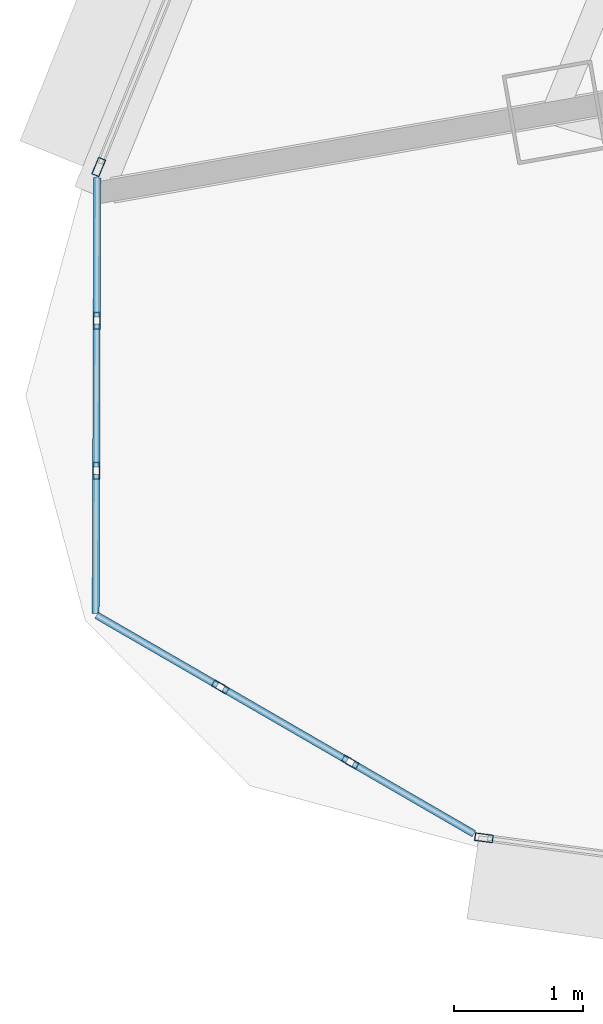
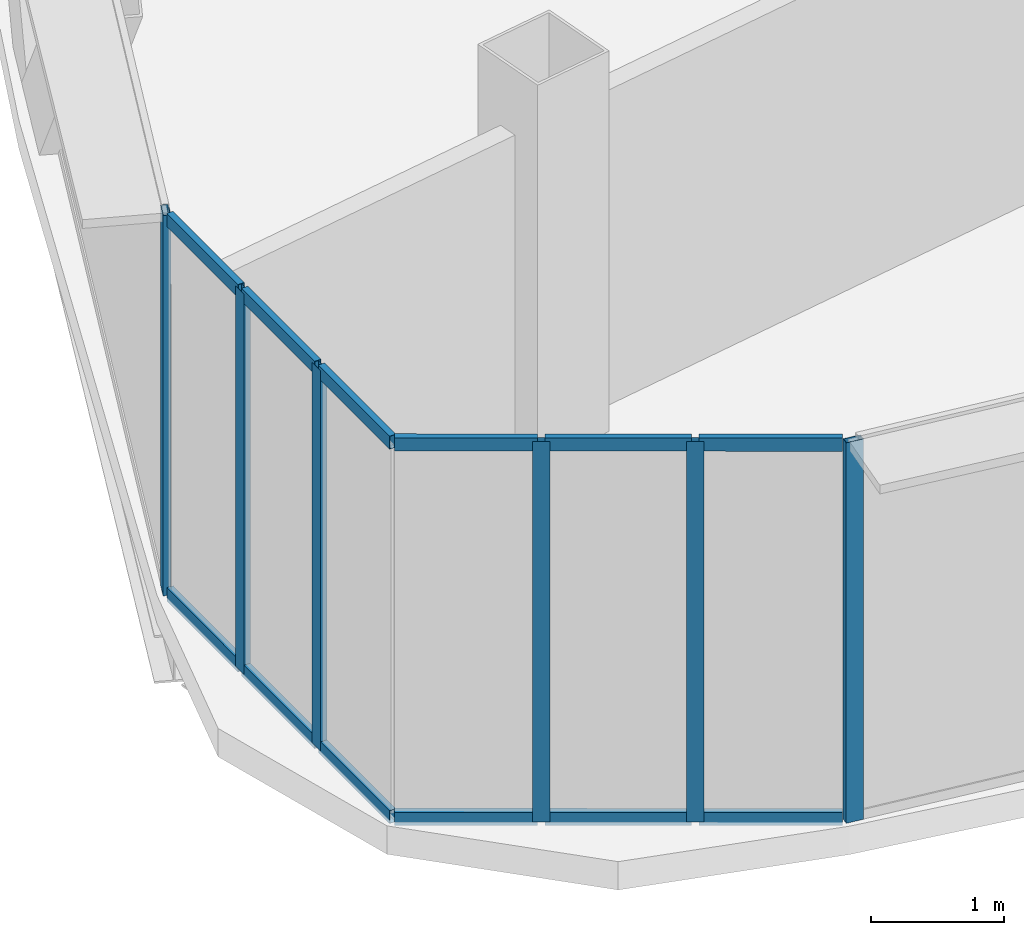
# One storey, part 2 of 27: 18 members, 4 elements without a shape of their own.
"""IFC4 building model written with IfcOpenShell, lengths in metres."""

from ifc_helpers import new_model, si_unit, direction, frame, origin, origin_2d, place, context, subcontext, project, spatial, hollow_rectangle, extrude, source, transform, mapped, material, layer, layer_set, material_profile, profile_set, type_object, element, aggregate, save


model = new_model("IFC4")

# Units and contexts
model_context = context("Model", 3, precision=1e-05, world=origin(), true_north=direction((0.0, 1.0)))
body_context = subcontext(model_context, "Body", "Model", "MODEL_VIEW")
ifc_project = project(units=[si_unit("LENGTHUNIT", "METRE"), si_unit("AREAUNIT", "SQUARE_METRE"), si_unit("VOLUMEUNIT", "CUBIC_METRE"), si_unit("PLANEANGLEUNIT", "RADIAN"), si_unit("MASSUNIT", "GRAM", prefix="KILO"), si_unit("THERMODYNAMICTEMPERATUREUNIT", "KELVIN"), si_unit("POWERUNIT", "WATT")], contexts=[model_context])

# Site, building, storey
site_placement = place(None, origin())
site = spatial("IfcSite", under=ifc_project, at=site_placement, CompositionType="ELEMENT")
building_placement = place(site_placement, origin())
building = spatial("IfcBuilding", under=site, at=building_placement, Name="Yunzhuo Pagoda Commons", CompositionType="ELEMENT")
storey_placement = place(building_placement, frame((0.0, 0.0, 344.260009765625)))
storey = spatial("IfcBuildingStorey", under=building, at=storey_placement, Name="L86", CompositionType="ELEMENT", Elevation=344.260009765625)

# Curtain wall, member
ifc_material = material(Name="Anodized aluminium 6063-T6", Category="aluminium")
ifc_layer_1 = layer(ifc_material, 0.139892578125)
ifc_layer_set_1 = layer_set([ifc_layer_1], Name="Anodized aluminium 6063-T6")
curtain_wall_type_1 = type_object("IfcCurtainWallType", Name="CW-HI High-Zone Ribbon Curtain Wall", PredefinedType="NOTDEFINED", material=ifc_layer_set_1)
curtain_wall_1_placement = place(storey_placement, origin())
curtain_wall_1 = element("IfcCurtainWall", 1, at=curtain_wall_1_placement, inside=storey, type_object=curtain_wall_type_1, Name="L86 curtain wall CW-L86-F1B1", PredefinedType="NOTDEFINED")
ifc_material_profile_1 = material_profile(ifc_material, hollow_rectangle(XDim=0.06005859375, YDim=0.139892578125, WallThickness=0.00341796875, at=origin_2d()), Name="Anodized aluminium 6063-T6")
ifc_profile_set_1 = profile_set([ifc_material_profile_1], Name="Anodized aluminium 6063-T6")
member_type_1 = type_object("IfcMemberType", Name="CW-HI-M Mullion RHS 140x60x3.5", PredefinedType="MULLION", material=ifc_profile_set_1)
shared_shape_1 = source(origin(), body_context, "Body", "SweptSolid", [
    extrude(hollow_rectangle(XDim=0.06005859375, YDim=0.139892578125, WallThickness=0.00341796875, at=origin_2d()), origin(), (0.0, 0.0, 1.0), 3.489990234375),
])
member_1_placement = place(storey_placement, frame((22.9833984375, 23.781982421875, 0.0), z_axis=(0.0, 0.0, 1.0), x_axis=(0.132068741636, 0.991240559845, 0.0)))
member_1 = element("IfcMember", 2, at=member_1_placement, type_object=member_type_1, Name="CW mullion 1", PredefinedType="MULLION", context=body_context, shape_type="MappedRepresentation", body=[
    mapped(shared_shape_1, transform((0.0, 0.0, 0.0), scale=1.0)),
])
aggregate(curtain_wall_1, [member_1])

curtain_wall_2_placement = place(storey_placement, origin())
curtain_wall_2 = element("IfcCurtainWall", 3, at=curtain_wall_2_placement, inside=storey, type_object=curtain_wall_type_1, Name="L86 curtain wall CW-L86-F3B4", PredefinedType="NOTDEFINED")
member_2_placement = place(storey_placement, frame((20.008544921875, 28.962890625, 0.0), z_axis=(0.0, 0.0, 1.0), x_axis=(0.925729863061, -0.37818543155, 0.0)))
member_2 = element("IfcMember", 4, at=member_2_placement, type_object=member_type_1, Name="CW mullion 2", PredefinedType="MULLION", context=body_context, shape_type="MappedRepresentation", body=[
    mapped(shared_shape_1, transform((0.0, 0.0, 0.0), scale=1.0)),
])
aggregate(curtain_wall_2, [member_2])

# Curtain wall, members
ifc_layer_2 = layer(ifc_material, 0.1298828125)
ifc_layer_set_2 = layer_set([ifc_layer_2], Name="Anodized aluminium 6063-T6")
curtain_wall_type_2 = type_object("IfcCurtainWallType", Name="CW-VTX Rounded Corner Curtain Wall", PredefinedType="NOTDEFINED", material=ifc_layer_set_2)
curtain_wall_3_placement = place(storey_placement, origin())
curtain_wall_3 = element("IfcCurtainWall", 5, at=curtain_wall_3_placement, inside=storey, type_object=curtain_wall_type_2, Name="L86 curtain wall CW-L86-VTX1S1", PredefinedType="NOTDEFINED")
ifc_material_profile_2 = material_profile(ifc_material, hollow_rectangle(XDim=0.054931640625, YDim=0.1298828125, WallThickness=0.00341796875, at=origin_2d()), Name="Anodized aluminium 6063-T6")
ifc_profile_set_2 = profile_set([ifc_material_profile_2], Name="Anodized aluminium 6063-T6")
member_type_2 = type_object("IfcMemberType", Name="CW-VTX-M Mullion RHS 130x55x3.5", PredefinedType="MULLION", material=ifc_profile_set_2)
shared_shape_2 = source(origin(), body_context, "Body", "SweptSolid", [
    extrude(hollow_rectangle(XDim=0.054931640625, YDim=0.1298828125, WallThickness=0.00341796875, at=origin_2d()), origin(), (0.0, 0.0, 1.0), 3.489990234375),
])
member_3_placement = place(storey_placement, frame((19.992919921875, 27.776123046875, 0.0), z_axis=(0.0, 0.0, 1.0), x_axis=(0.999993639375, -0.003566680416, 0.0)))
member_3 = element("IfcMember", 6, at=member_3_placement, type_object=member_type_2, Name="CW mullion 2", PredefinedType="MULLION", context=body_context, shape_type="MappedRepresentation", body=[
    mapped(shared_shape_2, transform((0.0, 0.0, 0.0), scale=1.0)),
])
member_4_placement = place(storey_placement, frame((19.989013671875, 26.617431640625, 0.0), z_axis=(0.0, 0.0, 1.0), x_axis=(0.999993639375, -0.003566680416, 0.0)))
member_4 = element("IfcMember", 7, at=member_4_placement, type_object=member_type_2, Name="CW mullion 3", PredefinedType="MULLION", context=body_context, shape_type="MappedRepresentation", body=[
    mapped(shared_shape_2, transform((0.0, 0.0, 0.0), scale=1.0)),
])

curtain_wall_4_placement = place(storey_placement, origin())
curtain_wall_4 = element("IfcCurtainWall", 8, at=curtain_wall_4_placement, inside=storey, type_object=curtain_wall_type_2, Name="L86 curtain wall CW-L86-VTX1S2", PredefinedType="NOTDEFINED")
member_5_placement = place(storey_placement, frame((20.94775390625, 24.947265625, 0.0), z_axis=(0.0, 0.0, 1.0), x_axis=(0.501028333753, 0.865430880416, 0.0)))
member_5 = element("IfcMember", 9, at=member_5_placement, type_object=member_type_2, Name="CW mullion 2", PredefinedType="MULLION", context=body_context, shape_type="MappedRepresentation", body=[
    mapped(shared_shape_2, transform((0.0, 0.0, 0.0), scale=1.0)),
])
member_6_placement = place(storey_placement, frame((21.95068359375, 24.36669921875, 0.0), z_axis=(0.0, 0.0, 1.0), x_axis=(0.501028333753, 0.865430880416, 0.0)))
member_6 = element("IfcMember", 10, at=member_6_placement, type_object=member_type_2, Name="CW mullion 3", PredefinedType="MULLION", context=body_context, shape_type="MappedRepresentation", body=[
    mapped(shared_shape_2, transform((0.0, 0.0, 0.0), scale=1.0)),
])

# Member
ifc_material_profile_3 = material_profile(ifc_material, hollow_rectangle(XDim=0.054931640625, YDim=0.1201171875, WallThickness=0.00341796875, at=origin_2d()), Name="Anodized aluminium 6063-T6")
ifc_profile_set_3 = profile_set([ifc_material_profile_3], Name="Anodized aluminium 6063-T6")
member_type_3 = type_object("IfcMemberType", Name="CW-VTX-T Transom RHS 120x55x3.5", PredefinedType="USERDEFINED", material=ifc_profile_set_3)
shared_shape_3 = source(origin(), body_context, "Body", "SweptSolid", [
    extrude(hollow_rectangle(XDim=0.054931640625, YDim=0.1201171875, WallThickness=0.00341796875, at=origin_2d()), origin(), (0.0, 0.0, 1.0), 1.076171875),
])
member_7_placement = place(storey_placement, frame((19.996826171875, 28.8798828125, 0.027587890625), z_axis=(-0.003402884109, -0.999994210173, 0.0), x_axis=(0.999994210173, -0.003402884109, 0.0)))
member_7 = element("IfcMember", 11, at=member_7_placement, type_object=member_type_3, Name="CW transom 1.1", ObjectType="TRANSOM", PredefinedType="USERDEFINED", context=body_context, shape_type="MappedRepresentation", body=[
    mapped(shared_shape_3, transform((0.0, 0.0, 0.0), scale=1.0)),
])

member_8_placement = place(storey_placement, frame((19.996826171875, 28.8798828125, 3.46240234375), z_axis=(-0.003402884109, -0.999994210173, 0.0), x_axis=(0.999994210173, -0.003402884109, 0.0)))
member_8 = element("IfcMember", 12, at=member_8_placement, type_object=member_type_3, Name="CW transom 1.2", ObjectType="TRANSOM", PredefinedType="USERDEFINED", context=body_context, shape_type="MappedRepresentation", body=[
    mapped(shared_shape_3, transform((0.0, 0.0, 0.0), scale=1.0)),
])

member_9_placement = place(storey_placement, frame((19.992431640625, 25.500244140625, 0.027587890625), z_axis=(0.865493584374, -0.50092000899, 0.0), x_axis=(0.50092000899, 0.865493584374, 0.0)))
member_9 = element("IfcMember", 13, at=member_9_placement, type_object=member_type_3, Name="CW transom 1.1", ObjectType="TRANSOM", PredefinedType="USERDEFINED", context=body_context, shape_type="MappedRepresentation", body=[
    mapped(shared_shape_3, transform((0.0, 0.0, 0.0), scale=1.0)),
])

member_10_placement = place(storey_placement, frame((19.992431640625, 25.500244140625, 3.46240234375), z_axis=(0.865493584374, -0.50092000899, 0.0), x_axis=(0.50092000899, 0.865493584374, 0.0)))
member_10 = element("IfcMember", 14, at=member_10_placement, type_object=member_type_3, Name="CW transom 1.2", ObjectType="TRANSOM", PredefinedType="USERDEFINED", context=body_context, shape_type="MappedRepresentation", body=[
    mapped(shared_shape_3, transform((0.0, 0.0, 0.0), scale=1.0)),
])

shared_shape_4 = source(origin(), body_context, "Body", "SweptSolid", [
    extrude(hollow_rectangle(XDim=0.054931640625, YDim=0.1201171875, WallThickness=0.00341796875, at=origin_2d()), origin(), (0.0, 0.0, 1.0), 1.103759765625),
])
member_11_placement = place(storey_placement, frame((19.992919921875, 27.74853515625, 0.027587890625), z_axis=(-0.003539017873, -0.999993737657, 0.0), x_axis=(0.999993737657, -0.003539017873, 0.0)))
member_11 = element("IfcMember", 15, at=member_11_placement, type_object=member_type_3, Name="CW transom 2.1", ObjectType="TRANSOM", PredefinedType="USERDEFINED", context=body_context, shape_type="MappedRepresentation", body=[
    mapped(shared_shape_4, transform((0.0, 0.0, 0.0), scale=1.0)),
])

member_12_placement = place(storey_placement, frame((19.992919921875, 27.74853515625, 3.46240234375), z_axis=(-0.003539017873, -0.999993737657, 0.0), x_axis=(0.999993737657, -0.003539017873, 0.0)))
member_12 = element("IfcMember", 16, at=member_12_placement, type_object=member_type_3, Name="CW transom 2.2", ObjectType="TRANSOM", PredefinedType="USERDEFINED", context=body_context, shape_type="MappedRepresentation", body=[
    mapped(shared_shape_4, transform((0.0, 0.0, 0.0), scale=1.0)),
])

member_13_placement = place(storey_placement, frame((20.9716796875, 24.93359375, 0.027587890625), z_axis=(0.865315207764, -0.501228083025, 0.0), x_axis=(0.501228083025, 0.865315207764, 0.0)))
member_13 = element("IfcMember", 17, at=member_13_placement, type_object=member_type_3, Name="CW transom 2.1", ObjectType="TRANSOM", PredefinedType="USERDEFINED", context=body_context, shape_type="MappedRepresentation", body=[
    mapped(shared_shape_4, transform((0.0, 0.0, 0.0), scale=1.0)),
])

member_14_placement = place(storey_placement, frame((20.9716796875, 24.93359375, 3.46240234375), z_axis=(0.865315207764, -0.501228083025, 0.0), x_axis=(0.501228083025, 0.865315207764, 0.0)))
member_14 = element("IfcMember", 18, at=member_14_placement, type_object=member_type_3, Name="CW transom 2.2", ObjectType="TRANSOM", PredefinedType="USERDEFINED", context=body_context, shape_type="MappedRepresentation", body=[
    mapped(shared_shape_4, transform((0.0, 0.0, 0.0), scale=1.0)),
])

shared_shape_5 = source(origin(), body_context, "Body", "SweptSolid", [
    extrude(hollow_rectangle(XDim=0.054931640625, YDim=0.1201171875, WallThickness=0.00341796875, at=origin_2d()), origin(), (0.0, 0.0, 1.0), 1.076416015625),
])
member_15_placement = place(storey_placement, frame((19.989013671875, 26.58984375, 0.027587890625), z_axis=(-0.003855720942, -0.99999256668, 0.0), x_axis=(0.99999256668, -0.003855720942, 0.0)))
member_15 = element("IfcMember", 19, at=member_15_placement, type_object=member_type_3, Name="CW transom 3.1", ObjectType="TRANSOM", PredefinedType="USERDEFINED", context=body_context, shape_type="MappedRepresentation", body=[
    mapped(shared_shape_5, transform((0.0, 0.0, 0.0), scale=1.0)),
])

member_16_placement = place(storey_placement, frame((19.989013671875, 26.58984375, 3.46240234375), z_axis=(-0.003855720942, -0.99999256668, 0.0), x_axis=(0.99999256668, -0.003855720942, 0.0)))
member_16 = element("IfcMember", 20, at=member_16_placement, type_object=member_type_3, Name="CW transom 3.2", ObjectType="TRANSOM", PredefinedType="USERDEFINED", context=body_context, shape_type="MappedRepresentation", body=[
    mapped(shared_shape_5, transform((0.0, 0.0, 0.0), scale=1.0)),
])

aggregate(curtain_wall_3, [member_3, member_4, member_7, member_8, member_11, member_12, member_15, member_16])

member_17_placement = place(storey_placement, frame((21.974365234375, 24.352783203125, 0.027587890625), z_axis=(0.865452163497, -0.500991569488, 0.0), x_axis=(0.500991569488, 0.865452163497, 0.0)))
member_17 = element("IfcMember", 21, at=member_17_placement, type_object=member_type_3, Name="CW transom 3.1", ObjectType="TRANSOM", PredefinedType="USERDEFINED", context=body_context, shape_type="MappedRepresentation", body=[
    mapped(shared_shape_5, transform((0.0, 0.0, 0.0), scale=1.0)),
])

member_18_placement = place(storey_placement, frame((21.974365234375, 24.352783203125, 3.46240234375), z_axis=(0.865452163497, -0.500991569488, 0.0), x_axis=(0.500991569488, 0.865452163497, 0.0)))
member_18 = element("IfcMember", 22, at=member_18_placement, type_object=member_type_3, Name="CW transom 3.2", ObjectType="TRANSOM", PredefinedType="USERDEFINED", context=body_context, shape_type="MappedRepresentation", body=[
    mapped(shared_shape_5, transform((0.0, 0.0, 0.0), scale=1.0)),
])

aggregate(curtain_wall_4, [member_5, member_6, member_9, member_10, member_13, member_14, member_17, member_18])

save(model, "model.ifc")
